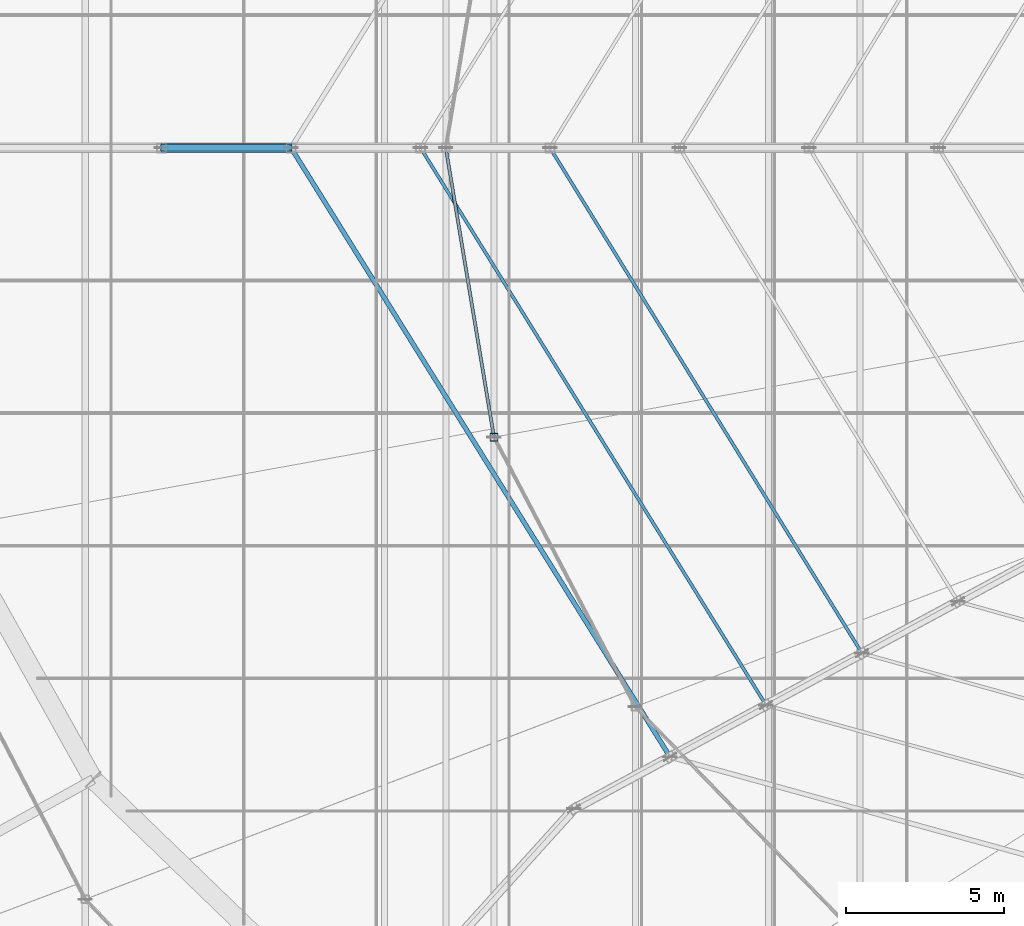
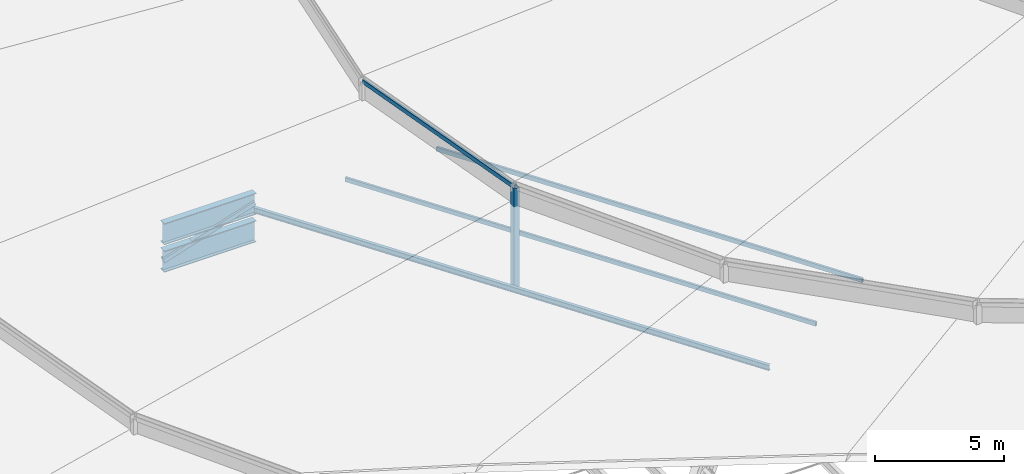
# One storey, part 11 of 184: 6 members, 2 beams.
"""IFC4 building model written with IfcOpenShell, lengths in metres."""

from ifc_helpers import new_model, si_unit, direction, frame, origin, origin_2d, place, context, subcontext, project, spatial, hollow_rectangle, i_section, extrude, material, material_profile, profile_set, type_object, element, save


model = new_model("IFC4")

# Units and contexts
model_context = context("Model", 3, precision=1e-05, world=origin(), true_north=direction((0.0, 1.0)))
body_context = subcontext(model_context, "Body", "Model", "MODEL_VIEW")
ifc_project = project(units=[si_unit("LENGTHUNIT", "METRE"), si_unit("AREAUNIT", "SQUARE_METRE"), si_unit("VOLUMEUNIT", "CUBIC_METRE"), si_unit("PLANEANGLEUNIT", "RADIAN"), si_unit("MASSUNIT", "GRAM", prefix="KILO")], contexts=[model_context])

# Site, building, storey
site_placement = place(None, origin())
site = spatial("IfcSite", under=ifc_project, at=site_placement, CompositionType="ELEMENT")
building_placement = place(site_placement, origin())
building = spatial("IfcBuilding", under=site, at=building_placement, Name="Kalgoora Escarpment Arena", CompositionType="ELEMENT")
storey_placement = place(building_placement, frame((0.0, 0.0, 27.60009765625)))
storey = spatial("IfcBuildingStorey", under=building, at=storey_placement, Name="Roof Level", CompositionType="ELEMENT", Elevation=27.60009765625)

# Beams
ifc_material_1 = material(Name="Structural steel Grade 350 (350 MPa)", Category="steel")
ifc_material_profile_1 = material_profile(ifc_material_1, i_section(OverallWidth=0.300048828125, OverallDepth=1.010009765625, WebThickness=0.01611328125, FlangeThickness=0.030029296875, at=origin_2d()))
ifc_profile_set_1 = profile_set([ifc_material_profile_1], Name="Structural steel Grade 350 (350 MPa)")
beam_type = type_object("IfcBeamType", Name="BM-TRUSS-CHORD", PredefinedType="USERDEFINED", material=ifc_profile_set_1)
for number, where, z_axis, x_axis, name in (
    (1, (47.7880859375, 64.0, -1.650146484375), (0.999999227238, 0.0, 0.001243191083), (0.0, 1.0, 0.0), "Radial ROOF TRUSS spine 5 bottom chord 2"),
    (2, (47.7880859375, 64.0, -0.35009765625), (0.999997054401, 0.0, 0.002427177317), (0.0, 1.0, 0.0), "Radial ROOF TRUSS spine 5 top chord 2"),
):
    element("IfcBeam", number, at=place(storey_placement, frame(where, z_axis=z_axis, x_axis=x_axis)), inside=storey, type_object=beam_type, Name=name, ObjectType="GIRDER", PredefinedType="USERDEFINED", context=body_context, shape_type="SweptSolid", body=[
        extrude(i_section(OverallWidth=0.300048828125, OverallDepth=1.010009765625, WebThickness=0.01611328125, FlangeThickness=0.030029296875, at=origin_2d()), origin(), (0.0, 0.0, 1.0), 4.1240234375),
    ])

# Members
ifc_material_2 = material(Name="Structural steel C450 (450 MPa)", Category="steel")
ifc_material_profile_2 = material_profile(ifc_material_2, hollow_rectangle(XDim=0.25, YDim=0.25, WallThickness=0.012451171875, at=origin_2d()))
ifc_profile_set_2 = profile_set([ifc_material_profile_2], Name="Structural steel C450 (450 MPa)")
member_type_1 = type_object("IfcMemberType", Name="MEM-PETAL-POST", PredefinedType="POST", material=ifc_profile_set_2)
member_1_placement = place(storey_placement, frame((58.326416015625, 54.837890625, -1.02001953125), z_axis=(0.0, 0.0, 1.0), x_axis=(1.0, 0.0, 0.0)))
element("IfcMember", 3, at=member_1_placement, inside=storey, type_object=member_type_1, Name="Petal RP3 vertical support post S14", PredefinedType="POST", context=body_context, shape_type="SweptSolid", body=[
    extrude(hollow_rectangle(XDim=0.25, YDim=0.25, WallThickness=0.012451171875, at=origin_2d()), origin(), (0.0, 0.0, 1.0), 4.724853515625),
])
ifc_material_3 = material(Name="Structural steel C350 (350 MPa)", Category="steel")
ifc_material_profile_3 = material_profile(ifc_material_3, hollow_rectangle(XDim=0.10009765625, YDim=0.199951171875, WallThickness=0.009033203125, at=origin_2d()))
ifc_profile_set_3 = profile_set([ifc_material_profile_3], Name="Structural steel C350 (350 MPa)")
member_type_2 = type_object("IfcMemberType", Name="MEM-PURLIN-RHS", PredefinedType="PURLIN", material=ifc_profile_set_3)
member_2_placement = place(storey_placement, frame((56.0, 64.0, -0.68017578125), z_axis=(0.526930836946, -0.849908167437, 0.0), x_axis=(0.849908167437, 0.526930836946, 0.0)))
element("IfcMember", 4, at=member_2_placement, inside=storey, type_object=member_type_2, Name="Roof circumferential purlin ring 3 sector 5", PredefinedType="PURLIN", context=body_context, shape_type="SweptSolid", body=[
    extrude(hollow_rectangle(XDim=0.10009765625, YDim=0.199951171875, WallThickness=0.009033203125, at=origin_2d()), origin(), (0.0, 0.0, 1.0), 20.766357421875),
])
member_3_placement = place(storey_placement, frame((60.10009765625, 64.0, -0.670166015625), z_axis=(0.525273496063, -0.850933460579, 0.0), x_axis=(0.850933460579, 0.525273496063, 0.0)))
element("IfcMember", 5, at=member_3_placement, inside=storey, type_object=member_type_2, Name="Roof circumferential purlin ring 4 sector 5", PredefinedType="PURLIN", context=body_context, shape_type="SweptSolid", body=[
    extrude(hollow_rectangle(XDim=0.10009765625, YDim=0.199951171875, WallThickness=0.009033203125, at=origin_2d()), origin(), (0.0, 0.0, 1.0), 18.813232421875),
])
member_4_placement = place(storey_placement, frame((56.800048828125, 64.0, 3.684814453125), z_axis=(0.164330789251, -0.986405287751, 0.0), x_axis=(0.986405287751, 0.164330789251, 0.0)))
element("IfcMember", 6, at=member_4_placement, inside=storey, type_object=member_type_2, Name="Petal RP3 eave support ring purlin S13", PredefinedType="PURLIN", context=body_context, shape_type="SweptSolid", body=[
    extrude(hollow_rectangle(XDim=0.10009765625, YDim=0.199951171875, WallThickness=0.009033203125, at=origin_2d()), origin(), (0.0, 0.0, 1.0), 9.288330078125),
])
ifc_material_4 = material(Name="Structural steel AS/NZS 3679 (300 MPa)", Category="steel")
ifc_material_profile_4 = material_profile(ifc_material_4, i_section(OverallWidth=0.14599609375, OverallDepth=0.256103515625, WebThickness=0.00634765625, FlangeThickness=0.010986328125, at=origin_2d()))
ifc_profile_set_4 = profile_set([ifc_material_profile_4], Name="Structural steel AS/NZS 3679 (300 MPa)")
member_type_3 = type_object("IfcMemberType", Name="MEM-PURLIN-UB", PredefinedType="PURLIN", material=ifc_profile_set_4)
member_5_placement = place(storey_placement, frame((51.89990234375, 64.0, -0.690185546875), z_axis=(0.528306534849, -0.849053711632, 0.0), x_axis=(0.849053711632, 0.528306534849, 0.0)))
element("IfcMember", 7, at=member_5_placement, inside=storey, type_object=member_type_3, Name="Roof circumferential purlin ring 2 sector 5", PredefinedType="PURLIN", context=body_context, shape_type="SweptSolid", body=[
    extrude(i_section(OverallWidth=0.14599609375, OverallDepth=0.256103515625, WebThickness=0.00634765625, FlangeThickness=0.010986328125, at=origin_2d()), origin(), (0.0, 0.0, 1.0), 22.71923828125),
])
ifc_material_5 = material(Name="Structural steel C350 (350 MPa)", Category="steel")
ifc_material_profile_5 = material_profile(ifc_material_5, hollow_rectangle(XDim=0.199951171875, YDim=0.199951171875, WallThickness=0.009033203125, at=origin_2d()))
ifc_profile_set_5 = profile_set([ifc_material_profile_5], Name="Structural steel C350 (350 MPa)")
member_type_4 = type_object("IfcMemberType", Name="MEM-TRUSS-DIAG", PredefinedType="BRACE", material=ifc_profile_set_5)
member_6_placement = place(storey_placement, frame((47.800048828125, 64.0, -1.650146484375), z_axis=(0.952551834659, 0.0, 0.304376415458), x_axis=(0.0, 1.0, 0.0)))
element("IfcMember", 8, at=member_6_placement, inside=storey, type_object=member_type_4, Name="Radial ROOF TRUSS spine 5 web diagonal 2", PredefinedType="BRACE", context=body_context, shape_type="SweptSolid", body=[
    extrude(hollow_rectangle(XDim=0.199951171875, YDim=0.199951171875, WallThickness=0.009033203125, at=origin_2d()), origin(), (0.0, 0.0, 1.0), 4.303955078125),
])

save(model, "model.ifc")
